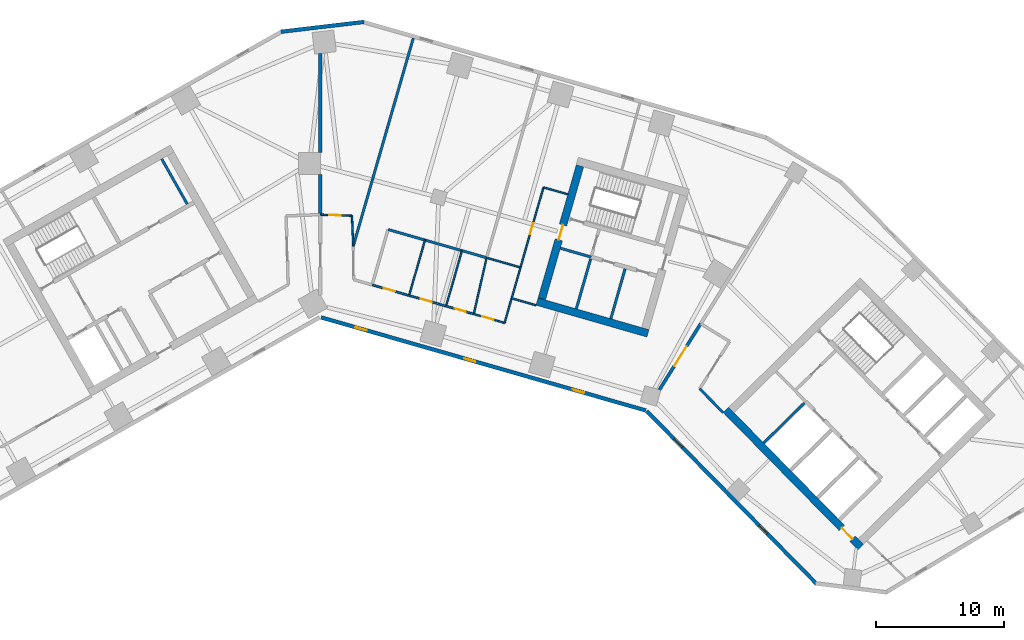
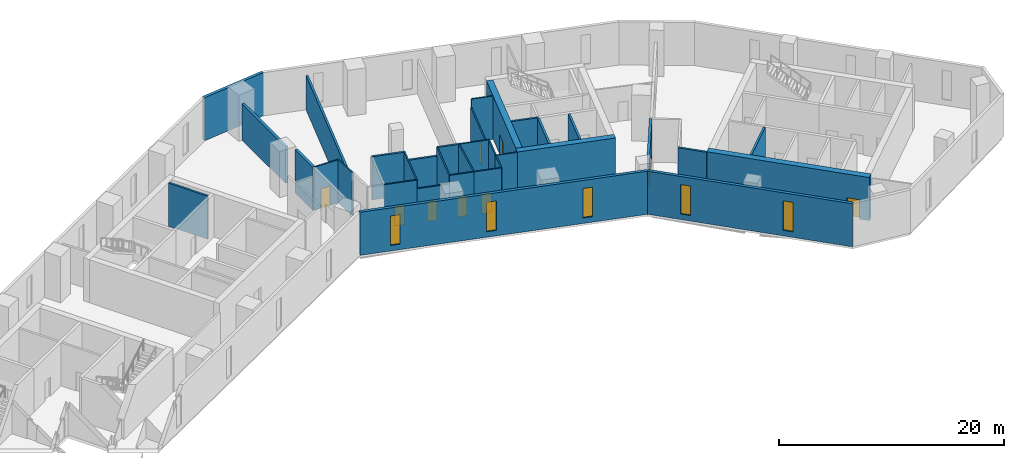
# One storey, part 5 of 10: 34 walls, 9 doors, 5 windows, 14 openings.
"""IFC4 building model written with IfcOpenShell, lengths in metres."""

from ifc_helpers import new_model, si_unit, direction, frame, frame_2d, origin, place, context, subcontext, project, spatial, rectangle, extrude, material, layer, layer_set, type_object, element, fill, save


model = new_model("IFC4")

# Units and contexts
model_context = context("Model", 3, precision=1e-05, world=origin(), true_north=direction((0.0, 1.0)))
body_context = subcontext(model_context, "Body", "Model", "MODEL_VIEW")
ifc_project = project(units=[si_unit("LENGTHUNIT", "METRE"), si_unit("AREAUNIT", "SQUARE_METRE"), si_unit("VOLUMEUNIT", "CUBIC_METRE"), si_unit("PLANEANGLEUNIT", "RADIAN"), si_unit("MASSUNIT", "GRAM", prefix="KILO")], contexts=[model_context])

# Site, building, storey
site_placement = place(None, origin())
site = spatial("IfcSite", under=ifc_project, at=site_placement, CompositionType="ELEMENT")
building_placement = place(site_placement, origin())
building = spatial("IfcBuilding", under=site, at=building_placement, Name="Binnacle Exchange Tower", CompositionType="ELEMENT")
storey_placement = place(building_placement, frame((0.0, 0.0, 71.5)))
storey = spatial("IfcBuildingStorey", under=building, at=storey_placement, Name="L14", CompositionType="ELEMENT", Elevation=71.5)

# Wall
ifc_material_1 = material(Name="Gypsum partition fire rated")
ifc_layer_1 = layer(ifc_material_1, 0.199951171875)
ifc_layer_set_1 = layer_set([ifc_layer_1], Name="Core partition 200")
wall_type_1 = type_object("IfcWallType", Name="Core partition 200", PredefinedType="PARTITIONING", material=ifc_layer_set_1)
wall_1_placement = place(storey_placement, frame((22.664794921875, 47.88330078125, 0.0), z_axis=(0.0, 0.0, 1.0), x_axis=(0.275596769212, 0.961273333033, 0.0)))
element("IfcWall", 1, at=wall_1_placement, inside=storey, type_object=wall_type_1, Name="Core wall CRWD10", PredefinedType="PARTITIONING", context=body_context, shape_type="SweptSolid", body=[
    extrude(rectangle(XDim=4.050048828125, YDim=0.199951171875, at=frame_2d((2.02490234375, 0.0))), origin(), (0.0, 0.0, 1.0), 4.679931640625),
])

# Wall, opening, door
ifc_material_2 = material(Name="Concrete C70/85", Category="concrete")
ifc_layer_2 = layer(ifc_material_2, 0.60009765625)
ifc_layer_set_2 = layer_set([ifc_layer_2], Name="Core wall - outer 600")
wall_type_2 = type_object("IfcWallType", Name="Core wall - outer 600", PredefinedType="SOLIDWALL", material=ifc_layer_set_2)
wall_2_placement = place(storey_placement, frame((31.6455078125, 40.7626953125, 0.0), z_axis=(0.0, 0.0, 1.0), x_axis=(0.700911255944, -0.713248491965, 0.0)))
wall_2 = element("IfcWall", 2, at=wall_2_placement, inside=storey, type_object=wall_type_2, Name="Core wall CRWB1", PredefinedType="SOLIDWALL", context=body_context, shape_type="SweptSolid", body=[
    extrude(rectangle(XDim=15.0, YDim=0.60009765625, at=frame_2d((7.5, 0.0))), origin(), (0.0, 0.0, 1.0), 4.679931640625),
])
opening_1_placement = place(wall_2_placement, frame((12.89990234375, 0.0, 0.0)))
opening_1 = element("IfcOpeningElement", 3, at=opening_1_placement, cuts=wall_2, Name="Opening DB7", PredefinedType="OPENING", context=body_context, shape_type="SweptSolid", body=[
    extrude(rectangle(XDim=1.199951171875, YDim=2.10009765625, at=frame_2d((0.60009765625, 1.050048828125))), frame((0.0, 0.31005859375, 0.0), z_axis=(0.0, -1.0, 0.0), x_axis=(1.0, 0.0, 0.0)), (0.0, 0.0, 1.0), 0.6201171875),
])
ifc_material_3 = material(Name="Steel door leaf", Category="steel")
door_type_1 = type_object("IfcDoorType", Name="Fire door 1200", OperationType="NOTDEFINED", PredefinedType="DOOR", material=ifc_material_3)
door_1_placement = place(opening_1_placement, frame((1.199951171875, 0.0, 0.0), z_axis=(0.0, 0.0, 1.0), x_axis=(-1.0, 0.0, 0.0)))
door_1 = element("IfcDoor", 4, at=door_1_placement, inside=storey, type_object=door_type_1, Name="Lift lobby entrance door core B", OperationType="SINGLE_SWING_LEFT", OverallHeight=2.10009765625, OverallWidth=1.199951171875, PredefinedType="DOOR", context=body_context, shape_type="SweptSolid", body=[
    extrude(rectangle(XDim=1.199951171875, YDim=2.10009765625, at=frame_2d((0.60009765625, 1.050048828125))), frame((0.0, 0.02490234375, 0.0), z_axis=(0.0, -1.0, 0.0), x_axis=(1.0, 0.0, 0.0)), (0.0, 0.0, 1.0), 0.050048828125),
])
fill(opening_1, door_1)

# Wall
wall_3_placement = place(storey_placement, frame((16.91064453125, 49.22119140625, 0.0), z_axis=(0.0, 0.0, 1.0), x_axis=(0.96126248289, -0.275634611374, 0.0)))
element("IfcWall", 5, at=wall_3_placement, inside=storey, type_object=wall_type_2, Name="Core wall CRWD1", PredefinedType="SOLIDWALL", context=body_context, shape_type="SweptSolid", body=[
    extrude(rectangle(XDim=9.0, YDim=0.60009765625, at=frame_2d((4.5, 0.0))), origin(), (0.0, 0.0, 1.0), 4.679931640625),
])

# Wall, opening, door
wall_4_placement = place(storey_placement, frame((17.28173828125, 49.427001953125, 0.0), z_axis=(0.0, 0.0, 1.0), x_axis=(0.275631631629, 0.961263337304, 0.0)))
wall_4 = element("IfcWall", 6, at=wall_4_placement, inside=storey, type_object=wall_type_2, Name="Core wall CRWD7", PredefinedType="SOLIDWALL", context=body_context, shape_type="SweptSolid", body=[
    extrude(rectangle(XDim=10.800048828125, YDim=0.60009765625, at=frame_2d((5.39990234375, 0.0))), origin(), (0.0, 0.0, 1.0), 4.679931640625),
])
opening_2_placement = place(wall_4_placement, frame((4.800048828125, 0.0, 0.0)))
opening_2 = element("IfcOpeningElement", 7, at=opening_2_placement, cuts=wall_4, Name="Opening DD5", PredefinedType="OPENING", context=body_context, shape_type="SweptSolid", body=[
    extrude(rectangle(XDim=1.199951171875, YDim=2.10009765625, at=frame_2d((0.60009765625, 1.050048828125))), frame((0.0, 0.31005859375, 0.0), z_axis=(0.0, -1.0, 0.0), x_axis=(1.0, 0.0, 0.0)), (0.0, 0.0, 1.0), 0.6201171875),
])
door_2_placement = place(opening_2_placement, origin())
door_2 = element("IfcDoor", 8, at=door_2_placement, inside=storey, type_object=door_type_1, Name="Vestibule exit door VEST-W", OperationType="SINGLE_SWING_RIGHT", OverallHeight=2.10009765625, OverallWidth=1.199951171875, PredefinedType="DOOR", context=body_context, shape_type="SweptSolid", body=[
    extrude(rectangle(XDim=1.199951171875, YDim=2.10009765625, at=frame_2d((0.60009765625, 1.050048828125))), frame((0.0, 0.02490234375, 0.0), z_axis=(0.0, -1.0, 0.0), x_axis=(1.0, 0.0, 0.0)), (0.0, 0.0, 1.0), 0.050048828125),
])
fill(opening_2, door_2)

# Wall
ifc_material_4 = material(Name="Bronze aluminium cladding", Category="aluminium")
ifc_layer_3 = layer(ifc_material_4, 0.300048828125)
ifc_layer_set_3 = layer_set([ifc_layer_3], Name="External wall - spandrel 300")
wall_type_3 = type_object("IfcWallType", Name="External wall - spandrel 300", PredefinedType="STANDARD", material=ifc_layer_set_3)
wall_5_placement = place(storey_placement, frame((-3.076171875, 70.27294921875, 0.0), z_axis=(0.0, 0.0, 1.0), x_axis=(0.993067743007, 0.117543429416, 0.0)))
element("IfcWall", 9, at=wall_5_placement, inside=storey, type_object=wall_type_3, Name="External wall EW-F02 L14", PredefinedType="STANDARD", context=body_context, shape_type="SweptSolid", body=[
    extrude(rectangle(XDim=6.515625, YDim=0.300048828125, at=frame_2d((3.2578125, 0.0))), origin(), (0.0, 0.0, 1.0), 4.679931640625),
])

# Wall, openings, windows
wall_6_placement = place(storey_placement, frame((25.398193359375, 40.71728515625, 0.0), z_axis=(0.0, 0.0, 1.0), x_axis=(-0.961262423262, 0.275634819324, 0.0)))
wall_6 = element("IfcWall", 10, at=wall_6_placement, inside=storey, type_object=wall_type_3, Name="External wall EW-F08 L14", PredefinedType="STANDARD", context=body_context, shape_type="SweptSolid", body=[
    extrude(rectangle(XDim=26.358642578125, YDim=0.300048828125, at=frame_2d((13.17919921875, 0.0))), origin(), (0.0, 0.0, 1.0), 4.679931640625),
])
opening_3_placement = place(wall_6_placement, frame((22.6640625, 0.0, 0.60009765625)))
opening_3 = element("IfcOpeningElement", 11, at=opening_3_placement, cuts=wall_6, Name="Opening WS1", PredefinedType="OPENING", context=body_context, shape_type="SweptSolid", body=[
    extrude(rectangle(XDim=0.89990234375, YDim=3.199951171875, at=frame_2d((0.449951171875, 1.60009765625))), frame((0.0, 0.159912109375, 0.0), z_axis=(0.0, -1.0, 0.0), x_axis=(1.0, 0.0, 0.0)), (0.0, 0.0, 1.0), 0.320068359375),
])
opening_4_placement = place(wall_6_placement, frame((13.843505859375, 0.0, 0.60009765625)))
opening_4 = element("IfcOpeningElement", 12, at=opening_4_placement, cuts=wall_6, Name="Opening WS1", PredefinedType="OPENING", context=body_context, shape_type="SweptSolid", body=[
    extrude(rectangle(XDim=0.89990234375, YDim=3.199951171875, at=frame_2d((0.449951171875, 1.60009765625))), frame((0.0, 0.159912109375, 0.0), z_axis=(0.0, -1.0, 0.0), x_axis=(1.0, 0.0, 0.0)), (0.0, 0.0, 1.0), 0.320068359375),
])
opening_5_placement = place(wall_6_placement, frame((5.023193359375, 0.0, 0.60009765625)))
opening_5 = element("IfcOpeningElement", 13, at=opening_5_placement, cuts=wall_6, Name="Opening WS1", PredefinedType="OPENING", context=body_context, shape_type="SweptSolid", body=[
    extrude(rectangle(XDim=0.89990234375, YDim=3.199951171875, at=frame_2d((0.449951171875, 1.60009765625))), frame((0.0, 0.159912109375, 0.0), z_axis=(0.0, -1.0, 0.0), x_axis=(1.0, 0.0, 0.0)), (0.0, 0.0, 1.0), 0.320068359375),
])
ifc_material_5 = material(Name="Bronze anodised aluminium frame", Category="aluminium")
window_type = type_object("IfcWindowType", Name="WS1 WINDOW 900x3200", PartitioningType="SINGLE_PANEL", PredefinedType="WINDOW", material=ifc_material_5)
window_1_placement = place(opening_3_placement, origin())
window_1 = element("IfcWindow", 14, at=window_1_placement, inside=storey, type_object=window_type, Name="Window WS1 L14", OverallHeight=3.199951171875, OverallWidth=0.89990234375, PartitioningType="SINGLE_PANEL", PredefinedType="WINDOW", context=body_context, shape_type="SweptSolid", body=[
    extrude(rectangle(XDim=0.89990234375, YDim=3.199951171875, at=frame_2d((0.449951171875, 1.60009765625))), frame((0.0, 0.030029296875, 0.0), z_axis=(0.0, -1.0, 0.0), x_axis=(1.0, 0.0, 0.0)), (0.0, 0.0, 1.0), 0.06005859375),
])
fill(opening_3, window_1)
window_2_placement = place(opening_4_placement, origin())
window_2 = element("IfcWindow", 15, at=window_2_placement, inside=storey, type_object=window_type, Name="Window WS1 L14", OverallHeight=3.199951171875, OverallWidth=0.89990234375, PartitioningType="SINGLE_PANEL", PredefinedType="WINDOW", context=body_context, shape_type="SweptSolid", body=[
    extrude(rectangle(XDim=0.89990234375, YDim=3.199951171875, at=frame_2d((0.449951171875, 1.60009765625))), frame((0.0, 0.030029296875, 0.0), z_axis=(0.0, -1.0, 0.0), x_axis=(1.0, 0.0, 0.0)), (0.0, 0.0, 1.0), 0.06005859375),
])
fill(opening_4, window_2)
window_3_placement = place(opening_5_placement, origin())
window_3 = element("IfcWindow", 16, at=window_3_placement, inside=storey, type_object=window_type, Name="Window WS1 L14", OverallHeight=3.199951171875, OverallWidth=0.89990234375, PartitioningType="SINGLE_PANEL", PredefinedType="WINDOW", context=body_context, shape_type="SweptSolid", body=[
    extrude(rectangle(XDim=0.89990234375, YDim=3.199951171875, at=frame_2d((0.449951171875, 1.60009765625))), frame((0.0, 0.030029296875, 0.0), z_axis=(0.0, -1.0, 0.0), x_axis=(1.0, 0.0, 0.0)), (0.0, 0.0, 1.0), 0.06005859375),
])
fill(opening_5, window_3)

wall_7_placement = place(storey_placement, frame((38.727294921875, 27.18115234375, 0.0), z_axis=(0.0, 0.0, 1.0), x_axis=(-0.700906405975, 0.713253258011, 0.0)))
wall_7 = element("IfcWall", 17, at=wall_7_placement, inside=storey, type_object=wall_type_3, Name="External wall EW-F09 L14", PredefinedType="STANDARD", context=body_context, shape_type="SweptSolid", body=[
    extrude(rectangle(XDim=18.92333984375, YDim=0.300048828125, at=frame_2d((9.461669921875, 0.0))), origin(), (0.0, 0.0, 1.0), 4.679931640625),
])
opening_6_placement = place(wall_7_placement, frame((14.967041015625, 0.0, 0.60009765625)))
opening_6 = element("IfcOpeningElement", 18, at=opening_6_placement, cuts=wall_7, Name="Opening WS1", PredefinedType="OPENING", context=body_context, shape_type="SweptSolid", body=[
    extrude(rectangle(XDim=0.89990234375, YDim=3.199951171875, at=frame_2d((0.449951171875, 1.60009765625))), frame((0.0, 0.159912109375, 0.0), z_axis=(0.0, -1.0, 0.0), x_axis=(1.0, 0.0, 0.0)), (0.0, 0.0, 1.0), 0.320068359375),
])
opening_7_placement = place(wall_7_placement, frame((5.51171875, 0.0, 0.60009765625)))
opening_7 = element("IfcOpeningElement", 19, at=opening_7_placement, cuts=wall_7, Name="Opening WS1", PredefinedType="OPENING", context=body_context, shape_type="SweptSolid", body=[
    extrude(rectangle(XDim=0.89990234375, YDim=3.199951171875, at=frame_2d((0.449951171875, 1.60009765625))), frame((0.0, 0.159912109375, 0.0), z_axis=(0.0, -1.0, 0.0), x_axis=(1.0, 0.0, 0.0)), (0.0, 0.0, 1.0), 0.320068359375),
])
window_4_placement = place(opening_6_placement, origin())
window_4 = element("IfcWindow", 20, at=window_4_placement, inside=storey, type_object=window_type, Name="Window WS1 L14", OverallHeight=3.199951171875, OverallWidth=0.89990234375, PartitioningType="SINGLE_PANEL", PredefinedType="WINDOW", context=body_context, shape_type="SweptSolid", body=[
    extrude(rectangle(XDim=0.89990234375, YDim=3.199951171875, at=frame_2d((0.449951171875, 1.60009765625))), frame((0.0, 0.030029296875, 0.0), z_axis=(0.0, -1.0, 0.0), x_axis=(1.0, 0.0, 0.0)), (0.0, 0.0, 1.0), 0.06005859375),
])
fill(opening_6, window_4)
window_5_placement = place(opening_7_placement, origin())
window_5 = element("IfcWindow", 21, at=window_5_placement, inside=storey, type_object=window_type, Name="Window WS1 L14", OverallHeight=3.199951171875, OverallWidth=0.89990234375, PartitioningType="SINGLE_PANEL", PredefinedType="WINDOW", context=body_context, shape_type="SweptSolid", body=[
    extrude(rectangle(XDim=0.89990234375, YDim=3.199951171875, at=frame_2d((0.449951171875, 1.60009765625))), frame((0.0, 0.030029296875, 0.0), z_axis=(0.0, -1.0, 0.0), x_axis=(1.0, 0.0, 0.0)), (0.0, 0.0, 1.0), 0.06005859375),
])
fill(opening_7, window_5)

# Walls
ifc_material_6 = material(Name="Masonry block wall", Category="masonry")
ifc_layer_4 = layer(ifc_material_6, 0.199951171875)
ifc_layer_set_4 = layer_set([ifc_layer_4], Name="Fire wall - block 200")
wall_type_4 = type_object("IfcWallType", Name="Fire wall - block 200", PredefinedType="PARTITIONING", material=ifc_layer_set_4)
wall_8_placement = place(storey_placement, frame((2.569091796875, 53.5419921875, 0.0), z_axis=(0.0, 0.0, 1.0), x_axis=(0.277281040764, 0.960788855281, 0.0)))
element("IfcWall", 22, at=wall_8_placement, inside=storey, type_object=wall_type_4, Name="Partition W15", PredefinedType="PARTITIONING", context=body_context, shape_type="SweptSolid", body=[
    extrude(rectangle(XDim=16.885009765625, YDim=0.199951171875, at=frame_2d((8.4423828125, 0.0))), origin(), (0.0, 0.0, 1.0), 3.741943359375),
])
wall_9_placement = place(storey_placement, frame((5.283935546875, 54.843994140625, 0.0), z_axis=(0.0, 0.0, 1.0), x_axis=(0.961243927922, -0.275699312717, 0.0)))
element("IfcWall", 23, at=wall_9_placement, inside=storey, type_object=wall_type_4, Name="Partition W19", PredefinedType="PARTITIONING", context=body_context, shape_type="SweptSolid", body=[
    extrude(rectangle(XDim=2.999267578125, YDim=0.199951171875, at=frame_2d((1.49951171875, 0.0))), origin(), (0.0, 0.0, 1.0), 4.679931640625),
])
wall_10_placement = place(storey_placement, frame((8.1669921875, 54.01708984375, 0.0), z_axis=(0.0, 0.0, 1.0), x_axis=(0.961247103494, -0.275688240636, 0.0)))
element("IfcWall", 24, at=wall_10_placement, inside=storey, type_object=wall_type_4, Name="Partition W22", PredefinedType="PARTITIONING", context=body_context, shape_type="SweptSolid", body=[
    extrude(rectangle(XDim=3.000244140625, YDim=0.199951171875, at=frame_2d((1.5, 0.0))), origin(), (0.0, 0.0, 1.0), 3.741943359375),
])
wall_11_placement = place(storey_placement, frame((11.051025390625, 53.18994140625, 0.0), z_axis=(0.0, 0.0, 1.0), x_axis=(0.961316434736, -0.275446387355, 0.0)))
element("IfcWall", 25, at=wall_11_placement, inside=storey, type_object=wall_type_4, Name="Partition W25", PredefinedType="PARTITIONING", context=body_context, shape_type="SweptSolid", body=[
    extrude(rectangle(XDim=2.00048828125, YDim=0.199951171875, at=frame_2d((1.000244140625, 0.0))), origin(), (0.0, 0.0, 1.0), 4.679931640625),
])
wall_12_placement = place(storey_placement, frame((29.60009765625, 42.416015625, 0.0), z_axis=(0.0, 0.0, 1.0), x_axis=(0.700914320664, -0.713245480244, 0.0)))
element("IfcWall", 26, at=wall_12_placement, inside=storey, type_object=wall_type_4, Name="Partition W38", PredefinedType="PARTITIONING", context=body_context, shape_type="SweptSolid", body=[
    extrude(rectangle(XDim=2.613525390625, YDim=0.199951171875, at=frame_2d((1.306640625, 0.0))), origin(), (0.0, 0.0, 1.0), 4.679931640625),
])
ifc_material_7 = material(Name="Concrete fire wall C30/37", Category="concrete")
ifc_layer_5 = layer(ifc_material_7, 0.25)
ifc_layer_set_5 = layer_set([ifc_layer_5], Name="Fire wall - compartment 250")
wall_type_5 = type_object("IfcWallType", Name="Fire wall - compartment 250", PredefinedType="PARTITIONING", material=ifc_layer_set_5)
wall_13_placement = place(storey_placement, frame((0.0, 56.0, 0.0), z_axis=(0.0, 0.0, 1.0), x_axis=(0.0, 1.0, 0.0)))
element("IfcWall", 27, at=wall_13_placement, inside=storey, type_object=wall_type_5, Name="Fire Wall W10", PredefinedType="PARTITIONING", context=body_context, shape_type="SweptSolid", body=[
    extrude(rectangle(XDim=3.14990234375, YDim=0.25, at=frame_2d((1.574951171875, 0.0))), origin(), (0.0, 0.0, 1.0), 4.679931640625),
])
wall_14_placement = place(storey_placement, frame((0.0, 60.85009765625, 0.0), z_axis=(0.0, 0.0, 1.0), x_axis=(0.0, 1.0, 0.0)))
element("IfcWall", 28, at=wall_14_placement, inside=storey, type_object=wall_type_5, Name="Fire Wall W12", PredefinedType="PARTITIONING", context=body_context, shape_type="SweptSolid", body=[
    extrude(rectangle(XDim=7.722900390625, YDim=0.25, at=frame_2d((3.861328125, 0.0))), origin(), (0.0, 0.0, 1.0), 3.951904296875),
])

# Wall, opening, door
wall_15_placement = place(storey_placement, frame((26.4560546875, 42.337890625, 0.0), z_axis=(0.0, 0.0, 1.0), x_axis=(0.52980027265, 0.848122438743, 0.0)))
wall_15 = element("IfcWall", 29, at=wall_15_placement, inside=storey, type_object=wall_type_5, Name="Fire Wall W36", PredefinedType="PARTITIONING", context=body_context, shape_type="SweptSolid", body=[
    extrude(rectangle(XDim=6.075927734375, YDim=0.25, at=frame_2d((3.0380859375, 0.0))), origin(), (0.0, 0.0, 1.0), 4.679931640625),
])
opening_8_placement = place(wall_15_placement, frame((2.199951171875, 0.0, 0.0)))
opening_8 = element("IfcOpeningElement", 30, at=opening_8_placement, cuts=wall_15, Name="Opening DL14-15", PredefinedType="OPENING", context=body_context, shape_type="SweptSolid", body=[
    extrude(rectangle(XDim=1.800048828125, YDim=2.10009765625, at=frame_2d((0.89990234375, 1.050048828125))), frame((0.0, 0.135009765625, 0.0), z_axis=(0.0, -1.0, 0.0), x_axis=(1.0, 0.0, 0.0)), (0.0, 0.0, 1.0), 0.27001953125),
])
door_type_2 = type_object("IfcDoorType", Name="Fire door 1800", OperationType="NOTDEFINED", PredefinedType="DOOR", material=ifc_material_3)
door_3_placement = place(opening_8_placement, origin())
door_3 = element("IfcDoor", 31, at=door_3_placement, inside=storey, type_object=door_type_2, Name="Door DL14-15", OperationType="DOUBLE_DOOR_SINGLE_SWING", OverallHeight=2.10009765625, OverallWidth=1.800048828125, PredefinedType="DOOR", context=body_context, shape_type="SweptSolid", body=[
    extrude(rectangle(XDim=1.800048828125, YDim=2.10009765625, at=frame_2d((0.89990234375, 1.050048828125))), frame((0.0, 0.02490234375, 0.0), z_axis=(0.0, -1.0, 0.0), x_axis=(1.0, 0.0, 0.0)), (0.0, 0.0, 1.0), 0.050048828125),
])
fill(opening_8, door_3)

ifc_layer_6 = layer(ifc_material_1, 0.14990234375)
ifc_layer_set_6 = layer_set([ifc_layer_6], Name="Fire-rated partition 150")
wall_type_6 = type_object("IfcWallType", Name="Fire-rated partition 150", PredefinedType="PARTITIONING", material=ifc_layer_set_6)
wall_16_placement = place(storey_placement, frame((4.04296875, 50.51806640625, 0.0), z_axis=(0.0, 0.0, 1.0), x_axis=(0.961247103494, -0.275688240636, 0.0)))
wall_16 = element("IfcWall", 32, at=wall_16_placement, inside=storey, type_object=wall_type_6, Name="Partition W18", PredefinedType="PARTITIONING", context=body_context, shape_type="SweptSolid", body=[
    extrude(rectangle(XDim=3.000244140625, YDim=0.14990234375, at=frame_2d((1.5, 0.0))), origin(), (0.0, 0.0, 1.0), 4.679931640625),
])
opening_9_placement = place(wall_16_placement, frame((0.949951171875, 0.0, 0.0)))
opening_9 = element("IfcOpeningElement", 33, at=opening_9_placement, cuts=wall_16, Name="Opening DL14-04", PredefinedType="OPENING", context=body_context, shape_type="SweptSolid", body=[
    extrude(rectangle(XDim=0.89990234375, YDim=2.10009765625, at=frame_2d((0.449951171875, 1.050048828125))), frame((0.0, 0.0849609375, 0.0), z_axis=(0.0, -1.0, 0.0), x_axis=(1.0, 0.0, 0.0)), (0.0, 0.0, 1.0), 0.169921875),
])
door_type_3 = type_object("IfcDoorType", Name="Fire door 900", OperationType="NOTDEFINED", PredefinedType="DOOR", material=ifc_material_3)
door_4_placement = place(opening_9_placement, origin())
door_4 = element("IfcDoor", 34, at=door_4_placement, inside=storey, type_object=door_type_3, Name="Door DL14-04", OperationType="SINGLE_SWING_LEFT", OverallHeight=2.10009765625, OverallWidth=0.89990234375, PredefinedType="DOOR", context=body_context, shape_type="SweptSolid", body=[
    extrude(rectangle(XDim=0.89990234375, YDim=2.10009765625, at=frame_2d((0.449951171875, 1.050048828125))), frame((0.0, 0.02490234375, 0.0), z_axis=(0.0, -1.0, 0.0), x_axis=(1.0, 0.0, 0.0)), (0.0, 0.0, 1.0), 0.050048828125),
])
fill(opening_9, door_4)

wall_17_placement = place(storey_placement, frame((6.927001953125, 49.69091796875, 0.0), z_axis=(0.0, 0.0, 1.0), x_axis=(0.961268664977, -0.27561305073, 0.0)))
wall_17 = element("IfcWall", 35, at=wall_17_placement, inside=storey, type_object=wall_type_6, Name="Partition W21", PredefinedType="PARTITIONING", context=body_context, shape_type="SweptSolid", body=[
    extrude(rectangle(XDim=3.000244140625, YDim=0.14990234375, at=frame_2d((1.5, 0.0))), origin(), (0.0, 0.0, 1.0), 3.741943359375),
])
opening_10_placement = place(wall_17_placement, frame((0.949951171875, 0.0, 0.0)))
opening_10 = element("IfcOpeningElement", 36, at=opening_10_placement, cuts=wall_17, Name="Opening DL14-05", PredefinedType="OPENING", context=body_context, shape_type="SweptSolid", body=[
    extrude(rectangle(XDim=0.89990234375, YDim=2.10009765625, at=frame_2d((0.449951171875, 1.050048828125))), frame((0.0, 0.0849609375, 0.0), z_axis=(0.0, -1.0, 0.0), x_axis=(1.0, 0.0, 0.0)), (0.0, 0.0, 1.0), 0.169921875),
])
door_5_placement = place(opening_10_placement, origin())
door_5 = element("IfcDoor", 37, at=door_5_placement, inside=storey, type_object=door_type_3, Name="Door DL14-05", OperationType="SINGLE_SWING_LEFT", OverallHeight=2.10009765625, OverallWidth=0.89990234375, PredefinedType="DOOR", context=body_context, shape_type="SweptSolid", body=[
    extrude(rectangle(XDim=0.89990234375, YDim=2.10009765625, at=frame_2d((0.449951171875, 1.050048828125))), frame((0.0, 0.02490234375, 0.0), z_axis=(0.0, -1.0, 0.0), x_axis=(1.0, 0.0, 0.0)), (0.0, 0.0, 1.0), 0.050048828125),
])
fill(opening_10, door_5)

wall_18_placement = place(storey_placement, frame((9.81103515625, 48.864013671875, 0.0), z_axis=(0.0, 0.0, 1.0), x_axis=(0.961236680145, -0.275724581318, 0.0)))
wall_18 = element("IfcWall", 38, at=wall_18_placement, inside=storey, type_object=wall_type_6, Name="Partition W24", PredefinedType="PARTITIONING", context=body_context, shape_type="SweptSolid", body=[
    extrude(rectangle(XDim=2.2490234375, YDim=0.14990234375, at=frame_2d((1.12451171875, 0.0))), origin(), (0.0, 0.0, 1.0), 4.679931640625),
])
opening_11_placement = place(wall_18_placement, frame((0.699951171875, 0.0, 0.0)))
opening_11 = element("IfcOpeningElement", 39, at=opening_11_placement, cuts=wall_18, Name="Opening DL14-06", PredefinedType="OPENING", context=body_context, shape_type="SweptSolid", body=[
    extrude(rectangle(XDim=0.89990234375, YDim=2.10009765625, at=frame_2d((0.449951171875, 1.050048828125))), frame((0.0, 0.0849609375, 0.0), z_axis=(0.0, -1.0, 0.0), x_axis=(1.0, 0.0, 0.0)), (0.0, 0.0, 1.0), 0.169921875),
])
door_6_placement = place(opening_11_placement, origin())
door_6 = element("IfcDoor", 40, at=door_6_placement, inside=storey, type_object=door_type_3, Name="Door DL14-06", OperationType="SINGLE_SWING_RIGHT", OverallHeight=2.10009765625, OverallWidth=0.89990234375, PredefinedType="DOOR", context=body_context, shape_type="SweptSolid", body=[
    extrude(rectangle(XDim=0.89990234375, YDim=2.10009765625, at=frame_2d((0.449951171875, 1.050048828125))), frame((0.0, 0.02490234375, 0.0), z_axis=(0.0, -1.0, 0.0), x_axis=(1.0, 0.0, 0.0)), (0.0, 0.0, 1.0), 0.050048828125),
])
fill(opening_11, door_6)

ifc_material_8 = material(Name="Gypsum partition")
ifc_layer_7 = layer(ifc_material_8, 0.125)
ifc_layer_set_7 = layer_set([ifc_layer_7], Name="Partition 125")
wall_type_7 = type_object("IfcWallType", Name="Partition 125", PredefinedType="PARTITIONING", material=ifc_layer_set_7)
wall_19_placement = place(storey_placement, frame((0.0, 56.0, 0.0), z_axis=(0.0, 0.0, 1.0), x_axis=(0.999349313684, -0.036068673934, 0.0)))
wall_19 = element("IfcWall", 41, at=wall_19_placement, inside=storey, type_object=wall_type_7, Name="Partition W11", PredefinedType="PARTITIONING", context=body_context, shape_type="SweptSolid", body=[
    extrude(rectangle(XDim=2.470703125, YDim=0.125, at=frame_2d((1.2353515625, 0.0))), origin(), (0.0, 0.0, 1.0), 4.679931640625),
])
opening_12_placement = place(wall_19_placement, frame((0.699951171875, 0.0, 0.0)))
opening_12 = element("IfcOpeningElement", 42, at=opening_12_placement, cuts=wall_19, Name="Opening DL14-08", PredefinedType="OPENING", context=body_context, shape_type="SweptSolid", body=[
    extrude(rectangle(XDim=0.89990234375, YDim=2.10009765625, at=frame_2d((0.449951171875, 1.050048828125))), frame((0.0, 0.072509765625, 0.0), z_axis=(0.0, -1.0, 0.0), x_axis=(1.0, 0.0, 0.0)), (0.0, 0.0, 1.0), 0.14501953125),
])
ifc_material_9 = material(Name="Timber door leaf", Category="wood")
door_type_4 = type_object("IfcDoorType", Name="Door 900", OperationType="NOTDEFINED", PredefinedType="DOOR", material=ifc_material_9)
door_7_placement = place(opening_12_placement, origin())
door_7 = element("IfcDoor", 43, at=door_7_placement, inside=storey, type_object=door_type_4, Name="Door DL14-08", OperationType="SINGLE_SWING_LEFT", OverallHeight=2.10009765625, OverallWidth=0.89990234375, PredefinedType="DOOR", context=body_context, shape_type="SweptSolid", body=[
    extrude(rectangle(XDim=0.89990234375, YDim=2.10009765625, at=frame_2d((0.449951171875, 1.050048828125))), frame((0.0, 0.02490234375, 0.0), z_axis=(0.0, -1.0, 0.0), x_axis=(1.0, 0.0, 0.0)), (0.0, 0.0, 1.0), 0.050048828125),
])
fill(opening_12, door_7)

# Walls
wall_20_placement = place(storey_placement, frame((2.468994140625, 55.910888671875, 0.0), z_axis=(0.0, 0.0, 1.0), x_axis=(0.042217300367, -0.999108452346, 0.0)))
element("IfcWall", 44, at=wall_20_placement, inside=storey, type_object=wall_type_7, Name="Partition W13", PredefinedType="PARTITIONING", context=body_context, shape_type="SweptSolid", body=[
    extrude(rectangle(XDim=2.37109375, YDim=0.125, at=frame_2d((1.185546875, 0.0))), origin(), (0.0, 0.0, 1.0), 4.679931640625),
])
wall_21_placement = place(storey_placement, frame((6.927001953125, 49.69091796875, 0.0), z_axis=(0.0, 0.0, 1.0), x_axis=(0.275530671241, 0.961292280841, 0.0)))
element("IfcWall", 45, at=wall_21_placement, inside=storey, type_object=wall_type_7, Name="Partition W20", PredefinedType="PARTITIONING", context=body_context, shape_type="SweptSolid", body=[
    extrude(rectangle(XDim=4.50048828125, YDim=0.125, at=frame_2d((2.250244140625, 0.0))), origin(), (0.0, 0.0, 1.0), 4.679931640625),
])
wall_22_placement = place(storey_placement, frame((9.81103515625, 48.864013671875, 0.0), z_axis=(0.0, 0.0, 1.0), x_axis=(0.275545040649, 0.96128816209, 0.0)))
element("IfcWall", 46, at=wall_22_placement, inside=storey, type_object=wall_type_7, Name="Partition W23", PredefinedType="PARTITIONING", context=body_context, shape_type="SweptSolid", body=[
    extrude(rectangle(XDim=4.500244140625, YDim=0.125, at=frame_2d((2.25, 0.0))), origin(), (0.0, 0.0, 1.0), 4.679931640625),
])
wall_23_placement = place(storey_placement, frame((11.972900390625, 48.243896484375, 0.0), z_axis=(0.0, 0.0, 1.0), x_axis=(0.222117362571, 0.975019936845, 0.0)))
element("IfcWall", 47, at=wall_23_placement, inside=storey, type_object=wall_type_7, Name="Partition W26", PredefinedType="PARTITIONING", context=body_context, shape_type="SweptSolid", body=[
    extrude(rectangle(XDim=4.507568359375, YDim=0.125, at=frame_2d((2.25390625, 0.0))), origin(), (0.0, 0.0, 1.0), 4.679931640625),
])

# Wall, opening, door
wall_24_placement = place(storey_placement, frame((11.972900390625, 48.243896484375, 0.0), z_axis=(0.0, 0.0, 1.0), x_axis=(0.961302601161, -0.275494662382, 0.0)))
wall_24 = element("IfcWall", 48, at=wall_24_placement, inside=storey, type_object=wall_type_7, Name="Partition W27", PredefinedType="PARTITIONING", context=body_context, shape_type="SweptSolid", body=[
    extrude(rectangle(XDim=2.500732421875, YDim=0.125, at=frame_2d((1.25048828125, 0.0))), origin(), (0.0, 0.0, 1.0), 4.679931640625),
])
opening_13_placement = place(wall_24_placement, frame((0.699951171875, 0.0, 0.0)))
opening_13 = element("IfcOpeningElement", 49, at=opening_13_placement, cuts=wall_24, Name="Opening DL14-07", PredefinedType="OPENING", context=body_context, shape_type="SweptSolid", body=[
    extrude(rectangle(XDim=0.89990234375, YDim=2.10009765625, at=frame_2d((0.449951171875, 1.050048828125))), frame((0.0, 0.072509765625, 0.0), z_axis=(0.0, -1.0, 0.0), x_axis=(1.0, 0.0, 0.0)), (0.0, 0.0, 1.0), 0.14501953125),
])
door_8_placement = place(opening_13_placement, origin())
door_8 = element("IfcDoor", 50, at=door_8_placement, inside=storey, type_object=door_type_4, Name="Door DL14-07", OperationType="SINGLE_SWING_LEFT", OverallHeight=2.10009765625, OverallWidth=0.89990234375, PredefinedType="DOOR", context=body_context, shape_type="SweptSolid", body=[
    extrude(rectangle(XDim=0.89990234375, YDim=2.10009765625, at=frame_2d((0.449951171875, 1.050048828125))), frame((0.0, 0.02490234375, 0.0), z_axis=(0.0, -1.0, 0.0), x_axis=(1.0, 0.0, 0.0)), (0.0, 0.0, 1.0), 0.050048828125),
])
fill(opening_13, door_8)

# Walls
wall_25_placement = place(storey_placement, frame((12.97412109375, 52.638916015625, 0.0), z_axis=(0.0, 0.0, 1.0), x_axis=(0.961262138292, -0.275635813142, 0.0)))
element("IfcWall", 51, at=wall_25_placement, inside=storey, type_object=wall_type_7, Name="Partition W28", PredefinedType="PARTITIONING", context=body_context, shape_type="SweptSolid", body=[
    extrude(rectangle(XDim=2.749267578125, YDim=0.125, at=frame_2d((1.37451171875, 0.0))), origin(), (0.0, 0.0, 1.0), 4.679931640625),
])
wall_26_placement = place(storey_placement, frame((14.376953125, 47.554931640625, 0.0), z_axis=(0.0, 0.0, 1.0), x_axis=(0.275446387355, 0.961316434736, 0.0)))
element("IfcWall", 52, at=wall_26_placement, inside=storey, type_object=wall_type_7, Name="Partition W30", PredefinedType="PARTITIONING", context=body_context, shape_type="SweptSolid", body=[
    extrude(rectangle(XDim=2.00048828125, YDim=0.125, at=frame_2d((1.000244140625, 0.0))), origin(), (0.0, 0.0, 1.0), 4.679931640625),
])
wall_27_placement = place(storey_placement, frame((14.927978515625, 49.47802734375, 0.0), z_axis=(0.0, 0.0, 1.0), x_axis=(0.275598116036, 0.961272946898, 0.0)))
element("IfcWall", 53, at=wall_27_placement, inside=storey, type_object=wall_type_7, Name="Partition W31", PredefinedType="PARTITIONING", context=body_context, shape_type="SweptSolid", body=[
    extrude(rectangle(XDim=2.5, YDim=0.125, at=frame_2d((1.25, 0.0))), origin(), (0.0, 0.0, 1.0), 4.679931640625),
])
wall_28_placement = place(storey_placement, frame((14.927978515625, 49.47802734375, 0.0), z_axis=(0.0, 0.0, 1.0), x_axis=(0.961243778232, -0.27569983462, 0.0)))
element("IfcWall", 54, at=wall_28_placement, inside=storey, type_object=wall_type_7, Name="Partition W32", PredefinedType="PARTITIONING", context=body_context, shape_type="SweptSolid", body=[
    extrude(rectangle(XDim=1.9765625, YDim=0.125, at=frame_2d((0.98828125, 0.0))), origin(), (0.0, 0.0, 1.0), 4.679931640625),
])

# Wall, opening, door
wall_29_placement = place(storey_placement, frame((15.616943359375, 51.881103515625, 0.0), z_axis=(0.0, 0.0, 1.0), x_axis=(0.275703259795, 0.961242795832, 0.0)))
wall_29 = element("IfcWall", 55, at=wall_29_placement, inside=storey, type_object=wall_type_7, Name="Partition W33", PredefinedType="PARTITIONING", context=body_context, shape_type="SweptSolid", body=[
    extrude(rectangle(XDim=6.499755859375, YDim=0.125, at=frame_2d((3.25, 0.0))), origin(), (0.0, 0.0, 1.0), 3.741943359375),
])
opening_14_placement = place(wall_29_placement, frame((2.699951171875, 0.0, 0.0)))
opening_14 = element("IfcOpeningElement", 56, at=opening_14_placement, cuts=wall_29, Name="Opening DL14-10", PredefinedType="OPENING", context=body_context, shape_type="SweptSolid", body=[
    extrude(rectangle(XDim=0.89990234375, YDim=2.10009765625, at=frame_2d((0.449951171875, 1.050048828125))), frame((0.0, 0.072509765625, 0.0), z_axis=(0.0, -1.0, 0.0), x_axis=(1.0, 0.0, 0.0)), (0.0, 0.0, 1.0), 0.14501953125),
])
door_9_placement = place(opening_14_placement, origin())
door_9 = element("IfcDoor", 57, at=door_9_placement, inside=storey, type_object=door_type_4, Name="Door DL14-10", OperationType="SINGLE_SWING_LEFT", OverallHeight=2.10009765625, OverallWidth=0.89990234375, PredefinedType="DOOR", context=body_context, shape_type="SweptSolid", body=[
    extrude(rectangle(XDim=0.89990234375, YDim=2.10009765625, at=frame_2d((0.449951171875, 1.050048828125))), frame((0.0, 0.02490234375, 0.0), z_axis=(0.0, -1.0, 0.0), x_axis=(1.0, 0.0, 0.0)), (0.0, 0.0, 1.0), 0.050048828125),
])
fill(opening_14, door_9)

# Walls
wall_30_placement = place(storey_placement, frame((17.408935546875, 58.12890625, 0.0), z_axis=(0.0, 0.0, 1.0), x_axis=(0.961253165474, -0.275667103345, 0.0)))
element("IfcWall", 58, at=wall_30_placement, inside=storey, type_object=wall_type_7, Name="Partition W34", PredefinedType="PARTITIONING", context=body_context, shape_type="SweptSolid", body=[
    extrude(rectangle(XDim=1.976806640625, YDim=0.125, at=frame_2d((0.98828125, 0.0))), origin(), (0.0, 0.0, 1.0), 4.679931640625),
])
ifc_layer_8 = layer(ifc_material_6, 0.199951171875)
ifc_layer_set_8 = layer_set([ifc_layer_8], Name="Riser wall 200")
wall_type_8 = type_object("IfcWallType", Name="Riser wall 200", PredefinedType="SOLIDWALL", material=ifc_layer_set_8)
wall_31_placement = place(storey_placement, frame((-12.377197265625, 60.3505859375, 0.0), z_axis=(0.0, 0.0, 1.0), x_axis=(0.492440575896, -0.870346068648, 0.0)))
element("IfcWall", 59, at=wall_31_placement, inside=storey, type_object=wall_type_8, Name="Core wall CRWC23", PredefinedType="SOLIDWALL", context=body_context, shape_type="SweptSolid", body=[
    extrude(rectangle(XDim=4.050048828125, YDim=0.199951171875, at=frame_2d((2.02490234375, 0.0))), origin(), (0.0, 0.0, 1.0), 4.679931640625),
])
wall_32_placement = place(storey_placement, frame((34.59326171875, 38.19140625, 0.0), z_axis=(0.0, 0.0, 1.0), x_axis=(0.713252216116, 0.700907466222, 0.0)))
element("IfcWall", 60, at=wall_32_placement, inside=storey, type_object=wall_type_8, Name="Core wall CRWB9", PredefinedType="SOLIDWALL", context=body_context, shape_type="SweptSolid", body=[
    extrude(rectangle(XDim=4.44970703125, YDim=0.199951171875, at=frame_2d((2.224853515625, 0.0))), origin(), (0.0, 0.0, 1.0), 4.679931640625),
])
wall_33_placement = place(storey_placement, frame((18.727783203125, 53.381591796875, 0.0), z_axis=(0.0, 0.0, 1.0), x_axis=(0.961247070632, -0.275688355216, 0.0)))
element("IfcWall", 61, at=wall_33_placement, inside=storey, type_object=wall_type_8, Name="Core wall CRWD2", PredefinedType="SOLIDWALL", context=body_context, shape_type="SweptSolid", body=[
    extrude(rectangle(XDim=2.5, YDim=0.199951171875, at=frame_2d((1.25, 0.0))), origin(), (0.0, 0.0, 1.0), 4.679931640625),
])
wall_34_placement = place(storey_placement, frame((19.97314453125, 48.6552734375, 0.0), z_axis=(0.0, 0.0, 1.0), x_axis=(0.275668441653, 0.961252781674, 0.0)))
element("IfcWall", 62, at=wall_34_placement, inside=storey, type_object=wall_type_8, Name="Core wall CRWD8", PredefinedType="SOLIDWALL", context=body_context, shape_type="SweptSolid", body=[
    extrude(rectangle(XDim=4.050048828125, YDim=0.199951171875, at=frame_2d((2.02490234375, 0.0))), origin(), (0.0, 0.0, 1.0), 4.679931640625),
])

save(model, "model.ifc")
